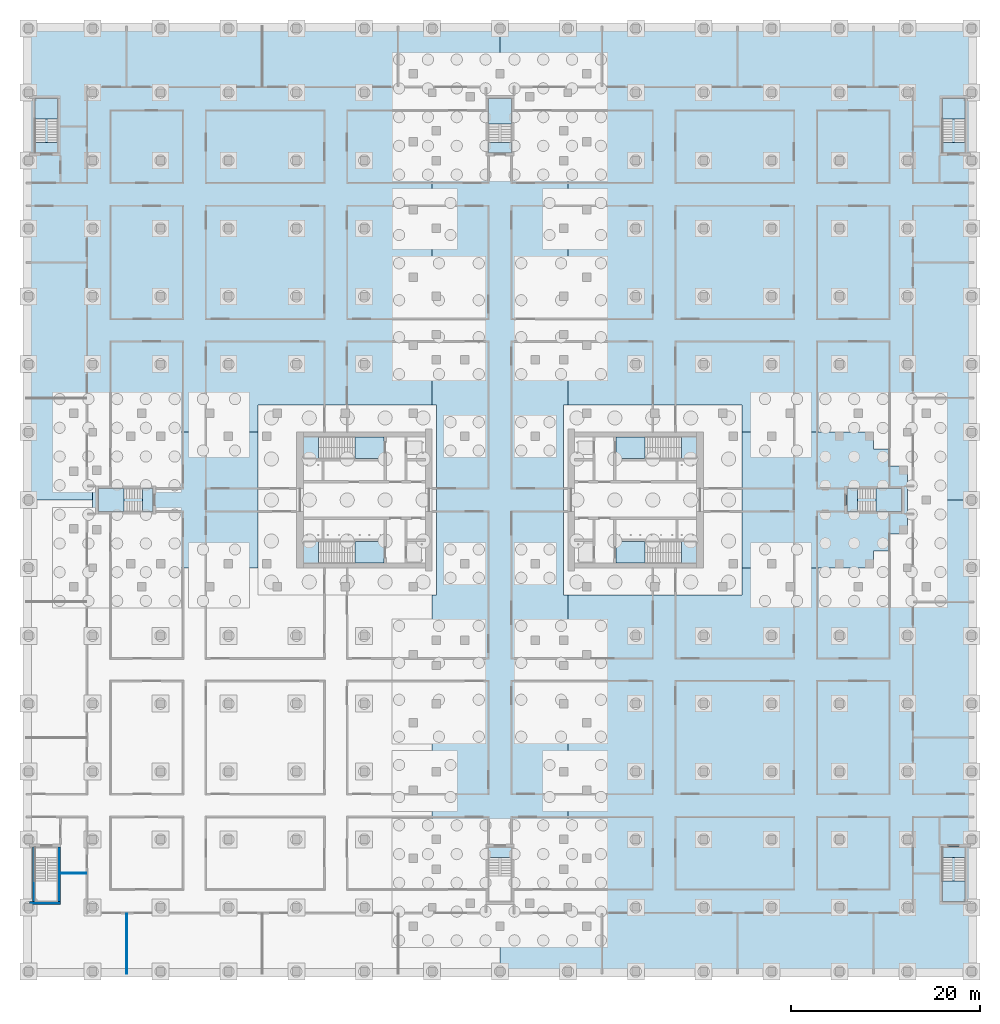
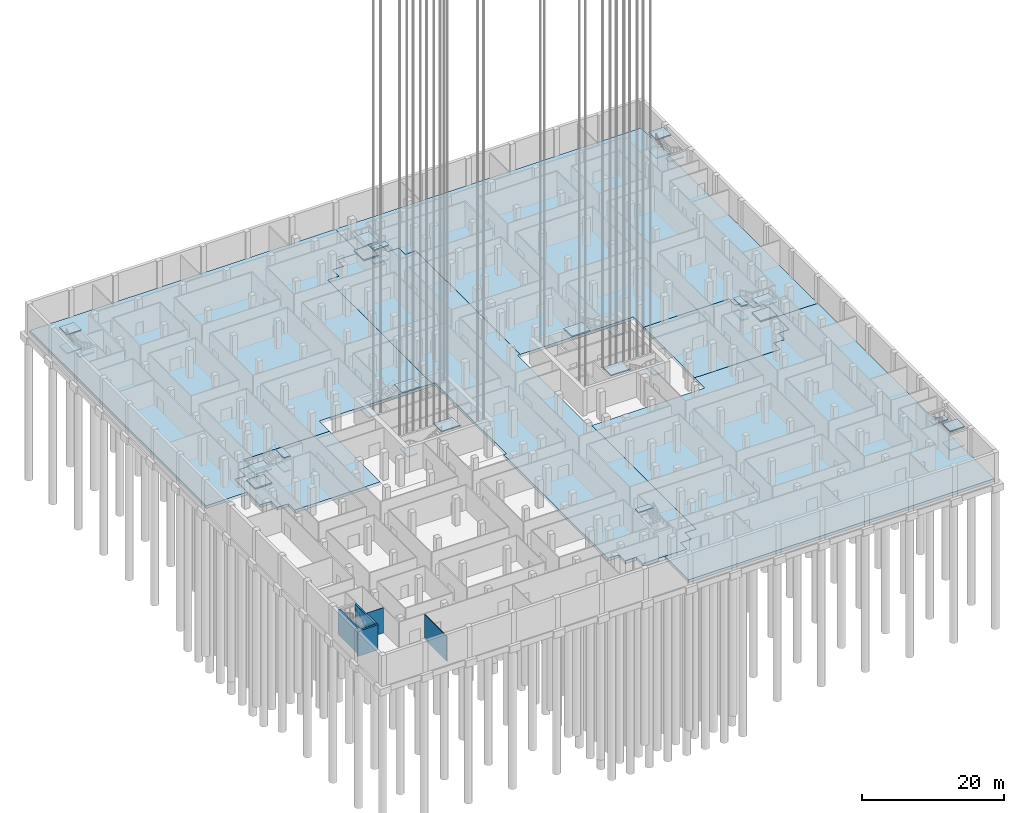
# One storey, part 5 of 54: 36 slabs, 5 walls, 11 elements without a shape of their own.
"""IFC4 building model written with IfcOpenShell, lengths in metres."""

from ifc_helpers import new_model, si_unit, direction, frame, frame_2d, origin, place, context, subcontext, project, spatial, polyline, rectangle, outline, extrude, material, layer, layer_set, type_object, element, aggregate, save


model = new_model("IFC4")

# Units and contexts
model_context = context("Model", 3, precision=1e-05, world=origin(), true_north=direction((0.0, 1.0)))
body_context = subcontext(model_context, "Body", "Model", "MODEL_VIEW")
ifc_project = project(units=[si_unit("LENGTHUNIT", "METRE"), si_unit("AREAUNIT", "SQUARE_METRE"), si_unit("VOLUMEUNIT", "CUBIC_METRE"), si_unit("PLANEANGLEUNIT", "RADIAN"), si_unit("MASSUNIT", "GRAM", prefix="KILO")], contexts=[model_context])

# Site, building, storey
site_placement = place(None, origin())
site = spatial("IfcSite", under=ifc_project, at=site_placement, CompositionType="ELEMENT")
building_placement = place(site_placement, origin())
building = spatial("IfcBuilding", under=site, at=building_placement, Name="Fustian Cross Tower", CompositionType="ELEMENT")
storey_placement = place(building_placement, frame((0.0, 0.0, -4.800048828125)))
storey = spatial("IfcBuildingStorey", under=building, at=storey_placement, Name="B1", CompositionType="ELEMENT", Elevation=-4.800048828125)

# Slabs
ifc_material_1 = material(Name="Concrete C40/50", Category="concrete")
ifc_layer_1 = layer(ifc_material_1, 0.5)
ifc_layer_set_1 = layer_set([ifc_layer_1], Name="Concrete C40/50")
slab_type_1 = type_object("IfcSlabType", Name="BASE SLAB 500", PredefinedType="BASESLAB", material=ifc_layer_set_1)
slab_1_placement = place(storey_placement, frame((0.0, 0.0, -0.5)))
element("IfcSlab", 1, at=slab_1_placement, inside=storey, type_object=slab_type_1, Name="FLOOR SLAB B1-1", PredefinedType="BASESLAB", context=body_context, shape_type="SweptSolid", body=[
    extrude(outline(polyline([(-25.64990234375, -7.199951171875), (-39.60009765625, -7.199951171875), (-39.60009765625, -5.39990234375), (-41.39990234375, -5.39990234375), (-41.39990234375, -3.60009765625), (-43.199951171875, -3.60009765625), (-43.199951171875, 3.60009765625), (-41.39990234375, 3.60009765625), (-41.39990234375, 5.39990234375), (-39.60009765625, 5.39990234375), (-39.60009765625, 7.199951171875), (-25.64990234375, 7.199951171875), (-25.64990234375, -7.199951171875)])), origin(), (0.0, 0.0, 1.0), 0.5),
])
slab_2_placement = place(storey_placement, frame((0.0, 0.0, -0.5)))
element("IfcSlab", 2, at=slab_2_placement, inside=storey, type_object=slab_type_1, Name="FLOOR SLAB B1-2", PredefinedType="BASESLAB", context=body_context, shape_type="SweptSolid", body=[
    extrude(outline(polyline([(6.75, -10.10009765625), (7.199951171875, -10.10009765625), (7.199951171875, -39.60009765625), (5.39990234375, -39.60009765625), (5.39990234375, -41.39990234375), (3.60009765625, -41.39990234375), (3.60009765625, -43.199951171875), (-3.60009765625, -43.199951171875), (-3.60009765625, -41.39990234375), (-5.39990234375, -41.39990234375), (-5.39990234375, -39.60009765625), (-7.199951171875, -39.60009765625), (-7.199951171875, -10.10009765625), (-6.75, -10.10009765625), (-6.75, 10.10009765625), (-7.199951171875, 10.10009765625), (-7.199951171875, 39.60009765625), (-5.39990234375, 39.60009765625), (-5.39990234375, 41.39990234375), (-3.60009765625, 41.39990234375), (-3.60009765625, 43.199951171875), (3.60009765625, 43.199951171875), (3.60009765625, 41.39990234375), (5.39990234375, 41.39990234375), (5.39990234375, 39.60009765625), (7.199951171875, 39.60009765625), (7.199951171875, 10.10009765625), (6.75, 10.10009765625), (6.75, -10.10009765625)])), origin(), (0.0, 0.0, 1.0), 0.5),
])
slab_3_placement = place(storey_placement, frame((0.0, 0.0, -0.5)))
element("IfcSlab", 3, at=slab_3_placement, inside=storey, type_object=slab_type_1, Name="FLOOR SLAB B1-3", PredefinedType="BASESLAB", context=body_context, shape_type="SweptSolid", body=[
    extrude(outline(polyline([(25.64990234375, 7.199951171875), (39.60009765625, 7.199951171875), (39.60009765625, 5.39990234375), (41.39990234375, 5.39990234375), (41.39990234375, 3.60009765625), (43.199951171875, 3.60009765625), (43.199951171875, -3.60009765625), (41.39990234375, -3.60009765625), (41.39990234375, -5.39990234375), (39.60009765625, -5.39990234375), (39.60009765625, -7.199951171875), (25.64990234375, -7.199951171875), (25.64990234375, 7.199951171875)])), origin(), (0.0, 0.0, 1.0), 0.5),
])
slab_4_placement = place(storey_placement, frame((0.0, 0.0, -0.5)))
element("IfcSlab", 4, at=slab_4_placement, inside=storey, type_object=slab_type_1, Name="FLOOR SLAB B1-4", PredefinedType="BASESLAB", context=body_context, shape_type="SweptSolid", body=[
    extrude(outline(polyline([(49.89990234375, 0.0), (43.199951171875, 0.0), (43.199951171875, 3.60009765625), (41.39990234375, 3.60009765625), (41.39990234375, 5.39990234375), (39.60009765625, 5.39990234375), (39.60009765625, 7.199951171875), (25.64990234375, 7.199951171875), (25.64990234375, 10.10009765625), (7.199951171875, 10.10009765625), (7.199951171875, 39.60009765625), (5.39990234375, 39.60009765625), (5.39990234375, 41.39990234375), (3.60009765625, 41.39990234375), (3.60009765625, 43.199951171875), (0.0, 43.199951171875), (0.0, 49.89990234375), (49.89990234375, 49.89990234375), (49.89990234375, 0.0)])), origin(), (0.0, 0.0, 1.0), 0.5),
])
slab_5_placement = place(storey_placement, frame((0.0, 0.0, -0.5)))
element("IfcSlab", 5, at=slab_5_placement, inside=storey, type_object=slab_type_1, Name="FLOOR SLAB B1-5", PredefinedType="BASESLAB", context=body_context, shape_type="SweptSolid", body=[
    extrude(outline(polyline([(-49.89990234375, 49.89990234375), (0.0, 49.89990234375), (0.0, 43.199951171875), (-3.60009765625, 43.199951171875), (-3.60009765625, 41.39990234375), (-5.39990234375, 41.39990234375), (-5.39990234375, 39.60009765625), (-7.199951171875, 39.60009765625), (-7.199951171875, 10.10009765625), (-25.64990234375, 10.10009765625), (-25.64990234375, 7.199951171875), (-39.60009765625, 7.199951171875), (-39.60009765625, 5.39990234375), (-41.39990234375, 5.39990234375), (-41.39990234375, 3.60009765625), (-43.199951171875, 3.60009765625), (-43.199951171875, 0.0), (-49.89990234375, 0.0), (-49.89990234375, 49.89990234375)])), origin(), (0.0, 0.0, 1.0), 0.5),
])
slab_6_placement = place(storey_placement, frame((0.0, 0.0, -0.5)))
element("IfcSlab", 6, at=slab_6_placement, inside=storey, type_object=slab_type_1, Name="FLOOR SLAB B1-7", PredefinedType="BASESLAB", context=body_context, shape_type="SweptSolid", body=[
    extrude(outline(polyline([(49.89990234375, -49.89990234375), (0.0, -49.89990234375), (0.0, -43.199951171875), (3.60009765625, -43.199951171875), (3.60009765625, -41.39990234375), (5.39990234375, -41.39990234375), (5.39990234375, -39.60009765625), (7.199951171875, -39.60009765625), (7.199951171875, -10.10009765625), (25.64990234375, -10.10009765625), (25.64990234375, -7.199951171875), (39.60009765625, -7.199951171875), (39.60009765625, -5.39990234375), (41.39990234375, -5.39990234375), (41.39990234375, -3.60009765625), (43.199951171875, -3.60009765625), (43.199951171875, 0.0), (49.89990234375, 0.0), (49.89990234375, -49.89990234375)])), origin(), (0.0, 0.0, 1.0), 0.5),
])

# Stair, slabs
ifc_material_2 = material(Name="Concrete C50/60", Category="concrete")
stair_type_1 = type_object("IfcStairType", Name="STAIR 1150 HALF TURN", PredefinedType="HALF_TURN_STAIR", material=ifc_material_2)
stair_1_placement = place(storey_placement, origin())
stair_1 = element("IfcStair", 7, at=stair_1_placement, inside=storey, type_object=stair_type_1, Name="Stair ST1", PredefinedType="HALF_TURN_STAIR")
ifc_material_3 = material(Name="Concrete C50/60", Category="concrete")
ifc_layer_2 = layer(ifc_material_3, 0.199951171875)
ifc_layer_set_2 = layer_set([ifc_layer_2], Name="Concrete C50/60")
slab_type_2 = type_object("IfcSlabType", Name="STAIR LANDING", PredefinedType="LANDING", material=ifc_layer_set_2)
slab_7_placement = place(storey_placement, frame((0.0, 0.0, 2.199951171875)))
slab_7 = element("IfcSlab", 8, at=slab_7_placement, type_object=slab_type_2, Name="ST1 landing 1", PredefinedType="LANDING", context=body_context, shape_type="SweptSolid", body=[
    extrude(outline(polyline([(19.27001953125, 4.39990234375), (20.85009765625, 4.39990234375), (20.85009765625, 6.699951171875), (19.27001953125, 6.699951171875), (19.27001953125, 4.39990234375)])), origin(), (0.0, 0.0, 1.0), 0.2001953125),
])
slab_8_placement = place(storey_placement, frame((0.0, 0.0, 4.60009765625)))
slab_8 = element("IfcSlab", 9, at=slab_8_placement, type_object=slab_type_2, Name="ST1 landing 2", PredefinedType="LANDING", context=body_context, shape_type="SweptSolid", body=[
    extrude(outline(polyline([(12.300048828125, 4.39990234375), (15.35009765625, 4.39990234375), (15.35009765625, 6.699951171875), (12.300048828125, 6.699951171875), (12.300048828125, 4.39990234375)])), origin(), (0.0, 0.0, 1.0), 0.199951171875),
])
aggregate(stair_1, [slab_7, slab_8])

stair_2_placement = place(storey_placement, origin())
stair_2 = element("IfcStair", 10, at=stair_2_placement, inside=storey, type_object=stair_type_1, Name="Stair ST2", PredefinedType="HALF_TURN_STAIR")
slab_9_placement = place(storey_placement, frame((0.0, 0.0, 2.199951171875)))
slab_9 = element("IfcSlab", 11, at=slab_9_placement, type_object=slab_type_2, Name="ST2 landing 1", PredefinedType="LANDING", context=body_context, shape_type="SweptSolid", body=[
    extrude(outline(polyline([(19.27001953125, -4.39990234375), (20.85009765625, -4.39990234375), (20.85009765625, -6.699951171875), (19.27001953125, -6.699951171875), (19.27001953125, -4.39990234375)])), origin(), (0.0, 0.0, 1.0), 0.2001953125),
])
slab_10_placement = place(storey_placement, frame((0.0, 0.0, 4.60009765625)))
slab_10 = element("IfcSlab", 12, at=slab_10_placement, type_object=slab_type_2, Name="ST2 landing 2", PredefinedType="LANDING", context=body_context, shape_type="SweptSolid", body=[
    extrude(outline(polyline([(12.300048828125, -4.39990234375), (15.35009765625, -4.39990234375), (15.35009765625, -6.699951171875), (12.300048828125, -6.699951171875), (12.300048828125, -4.39990234375)])), origin(), (0.0, 0.0, 1.0), 0.199951171875),
])
aggregate(stair_2, [slab_9, slab_10])

stair_3_placement = place(storey_placement, origin())
stair_3 = element("IfcStair", 13, at=stair_3_placement, inside=storey, type_object=stair_type_1, Name="Stair ST3", PredefinedType="HALF_TURN_STAIR")
slab_11_placement = place(storey_placement, frame((0.0, 0.0, 2.199951171875)))
slab_11 = element("IfcSlab", 14, at=slab_11_placement, type_object=slab_type_2, Name="ST3 landing 1", PredefinedType="LANDING", context=body_context, shape_type="SweptSolid", body=[
    extrude(outline(polyline([(-19.27001953125, 4.39990234375), (-20.85009765625, 4.39990234375), (-20.85009765625, 6.699951171875), (-19.27001953125, 6.699951171875), (-19.27001953125, 4.39990234375)])), origin(), (0.0, 0.0, 1.0), 0.2001953125),
])
slab_12_placement = place(storey_placement, frame((0.0, 0.0, 4.60009765625)))
slab_12 = element("IfcSlab", 15, at=slab_12_placement, type_object=slab_type_2, Name="ST3 landing 2", PredefinedType="LANDING", context=body_context, shape_type="SweptSolid", body=[
    extrude(outline(polyline([(-12.300048828125, 4.39990234375), (-15.35009765625, 4.39990234375), (-15.35009765625, 6.699951171875), (-12.300048828125, 6.699951171875), (-12.300048828125, 4.39990234375)])), origin(), (0.0, 0.0, 1.0), 0.199951171875),
])
aggregate(stair_3, [slab_11, slab_12])

stair_4_placement = place(storey_placement, origin())
stair_4 = element("IfcStair", 16, at=stair_4_placement, inside=storey, type_object=stair_type_1, Name="Stair ST4", PredefinedType="HALF_TURN_STAIR")
slab_13_placement = place(storey_placement, frame((0.0, 0.0, 2.199951171875)))
slab_13 = element("IfcSlab", 17, at=slab_13_placement, type_object=slab_type_2, Name="ST4 landing 1", PredefinedType="LANDING", context=body_context, shape_type="SweptSolid", body=[
    extrude(outline(polyline([(-19.27001953125, -4.39990234375), (-20.85009765625, -4.39990234375), (-20.85009765625, -6.699951171875), (-19.27001953125, -6.699951171875), (-19.27001953125, -4.39990234375)])), origin(), (0.0, 0.0, 1.0), 0.2001953125),
])
slab_14_placement = place(storey_placement, frame((0.0, 0.0, 4.60009765625)))
slab_14 = element("IfcSlab", 18, at=slab_14_placement, type_object=slab_type_2, Name="ST4 landing 2", PredefinedType="LANDING", context=body_context, shape_type="SweptSolid", body=[
    extrude(outline(polyline([(-12.300048828125, -4.39990234375), (-15.35009765625, -4.39990234375), (-15.35009765625, -6.699951171875), (-12.300048828125, -6.699951171875), (-12.300048828125, -4.39990234375)])), origin(), (0.0, 0.0, 1.0), 0.199951171875),
])
aggregate(stair_4, [slab_13, slab_14])

ifc_material_4 = material(Name="Concrete C50/60", Category="concrete")
stair_type_2 = type_object("IfcStairType", Name="STAIR 1100 HALF TURN", PredefinedType="HALF_TURN_STAIR", material=ifc_material_4)
stair_5_placement = place(storey_placement, origin())
stair_5 = element("IfcStair", 19, at=stair_5_placement, inside=storey, type_object=stair_type_2, Name="Stair ST5", PredefinedType="HALF_TURN_STAIR")
slab_15_placement = place(storey_placement, frame((0.0, 0.0, 1.0)))
slab_15 = element("IfcSlab", 20, at=slab_15_placement, type_object=slab_type_2, Name="ST5 landing 1", PredefinedType="LANDING", context=body_context, shape_type="SweptSolid", body=[
    extrude(outline(polyline([(-1.199951171875, 39.860107421875), (-1.199951171875, 42.60009765625), (1.199951171875, 42.60009765625), (1.199951171875, 39.860107421875), (-1.199951171875, 39.860107421875)])), origin(), (0.0, 0.0, 1.0), 0.199951171875),
])
slab_16_placement = place(storey_placement, frame((0.0, 0.0, 2.199951171875)))
slab_16 = element("IfcSlab", 21, at=slab_16_placement, type_object=slab_type_2, Name="ST5 landing 2", PredefinedType="LANDING", context=body_context, shape_type="SweptSolid", body=[
    extrude(outline(polyline([(-1.199951171875, 36.800048828125), (-1.199951171875, 37.89990234375), (1.199951171875, 37.89990234375), (1.199951171875, 36.800048828125), (-1.199951171875, 36.800048828125)])), origin(), (0.0, 0.0, 1.0), 0.2001953125),
])
slab_17_placement = place(storey_placement, frame((0.0, 0.0, 3.400146484375)))
slab_17 = element("IfcSlab", 22, at=slab_17_placement, type_object=slab_type_2, Name="ST5 landing 3", PredefinedType="LANDING", context=body_context, shape_type="SweptSolid", body=[
    extrude(outline(polyline([(-1.199951171875, 39.860107421875), (-1.199951171875, 42.60009765625), (1.199951171875, 42.60009765625), (1.199951171875, 39.860107421875), (-1.199951171875, 39.860107421875)])), origin(), (0.0, 0.0, 1.0), 0.199951171875),
])
slab_18_placement = place(storey_placement, frame((0.0, 0.0, 4.60009765625)))
slab_18 = element("IfcSlab", 23, at=slab_18_placement, type_object=slab_type_2, Name="ST5 landing 4", PredefinedType="LANDING", context=body_context, shape_type="SweptSolid", body=[
    extrude(outline(polyline([(-1.199951171875, 36.800048828125), (-1.199951171875, 37.89990234375), (1.199951171875, 37.89990234375), (1.199951171875, 36.800048828125), (-1.199951171875, 36.800048828125)])), origin(), (0.0, 0.0, 1.0), 0.199951171875),
])
aggregate(stair_5, [slab_15, slab_16, slab_17, slab_18])

# Stair, slab
stair_6_placement = place(storey_placement, origin())
stair_6 = element("IfcStair", 24, at=stair_6_placement, inside=storey, type_object=stair_type_2, Name="Stair ST6", PredefinedType="HALF_TURN_STAIR")
slab_19_placement = place(storey_placement, frame((0.0, 0.0, 4.60009765625)))
slab_19 = element("IfcSlab", 25, at=slab_19_placement, type_object=slab_type_2, Name="ST6 landing 4", PredefinedType="LANDING", context=body_context, shape_type="SweptSolid", body=[
    extrude(outline(polyline([(-1.199951171875, -36.800048828125), (-1.199951171875, -37.89990234375), (1.199951171875, -37.89990234375), (1.199951171875, -36.800048828125), (-1.199951171875, -36.800048828125)])), origin(), (0.0, 0.0, 1.0), 0.199951171875),
])
aggregate(stair_6, [slab_19])

# Stair, slabs
stair_7_placement = place(storey_placement, origin())
stair_7 = element("IfcStair", 26, at=stair_7_placement, inside=storey, type_object=stair_type_2, Name="Stair ST8", PredefinedType="HALF_TURN_STAIR")
slab_20_placement = place(storey_placement, frame((0.0, 0.0, 1.0)))
slab_20 = element("IfcSlab", 27, at=slab_20_placement, type_object=slab_type_2, Name="ST8 landing 1", PredefinedType="LANDING", context=body_context, shape_type="SweptSolid", body=[
    extrude(outline(polyline([(39.860107421875, -1.199951171875), (42.60009765625, -1.199951171875), (42.60009765625, 1.199951171875), (39.860107421875, 1.199951171875), (39.860107421875, -1.199951171875)])), origin(), (0.0, 0.0, 1.0), 0.199951171875),
])
slab_21_placement = place(storey_placement, frame((0.0, 0.0, 2.199951171875)))
slab_21 = element("IfcSlab", 28, at=slab_21_placement, type_object=slab_type_2, Name="ST8 landing 2", PredefinedType="LANDING", context=body_context, shape_type="SweptSolid", body=[
    extrude(outline(polyline([(36.800048828125, -1.199951171875), (37.89990234375, -1.199951171875), (37.89990234375, 1.199951171875), (36.800048828125, 1.199951171875), (36.800048828125, -1.199951171875)])), origin(), (0.0, 0.0, 1.0), 0.2001953125),
])
slab_22_placement = place(storey_placement, frame((0.0, 0.0, 3.400146484375)))
slab_22 = element("IfcSlab", 29, at=slab_22_placement, type_object=slab_type_2, Name="ST8 landing 3", PredefinedType="LANDING", context=body_context, shape_type="SweptSolid", body=[
    extrude(outline(polyline([(39.860107421875, -1.199951171875), (42.60009765625, -1.199951171875), (42.60009765625, 1.199951171875), (39.860107421875, 1.199951171875), (39.860107421875, -1.199951171875)])), origin(), (0.0, 0.0, 1.0), 0.199951171875),
])
slab_23_placement = place(storey_placement, frame((0.0, 0.0, 4.60009765625)))
slab_23 = element("IfcSlab", 30, at=slab_23_placement, type_object=slab_type_2, Name="ST8 landing 4", PredefinedType="LANDING", context=body_context, shape_type="SweptSolid", body=[
    extrude(outline(polyline([(36.800048828125, -1.199951171875), (37.89990234375, -1.199951171875), (37.89990234375, 1.199951171875), (36.800048828125, 1.199951171875), (36.800048828125, -1.199951171875)])), origin(), (0.0, 0.0, 1.0), 0.199951171875),
])
aggregate(stair_7, [slab_20, slab_21, slab_22, slab_23])

stair_8_placement = place(storey_placement, origin())
stair_8 = element("IfcStair", 31, at=stair_8_placement, inside=storey, type_object=stair_type_2, Name="Stair ST9", PredefinedType="HALF_TURN_STAIR")
slab_24_placement = place(storey_placement, frame((0.0, 0.0, 1.0)))
slab_24 = element("IfcSlab", 32, at=slab_24_placement, type_object=slab_type_2, Name="ST9 landing 1", PredefinedType="LANDING", context=body_context, shape_type="SweptSolid", body=[
    extrude(outline(polyline([(-39.860107421875, -1.199951171875), (-42.60009765625, -1.199951171875), (-42.60009765625, 1.199951171875), (-39.860107421875, 1.199951171875), (-39.860107421875, -1.199951171875)])), origin(), (0.0, 0.0, 1.0), 0.199951171875),
])
slab_25_placement = place(storey_placement, frame((0.0, 0.0, 2.199951171875)))
slab_25 = element("IfcSlab", 33, at=slab_25_placement, type_object=slab_type_2, Name="ST9 landing 2", PredefinedType="LANDING", context=body_context, shape_type="SweptSolid", body=[
    extrude(outline(polyline([(-36.800048828125, -1.199951171875), (-37.89990234375, -1.199951171875), (-37.89990234375, 1.199951171875), (-36.800048828125, 1.199951171875), (-36.800048828125, -1.199951171875)])), origin(), (0.0, 0.0, 1.0), 0.2001953125),
])
slab_26_placement = place(storey_placement, frame((0.0, 0.0, 3.400146484375)))
slab_26 = element("IfcSlab", 34, at=slab_26_placement, type_object=slab_type_2, Name="ST9 landing 3", PredefinedType="LANDING", context=body_context, shape_type="SweptSolid", body=[
    extrude(outline(polyline([(-39.860107421875, -1.199951171875), (-42.60009765625, -1.199951171875), (-42.60009765625, 1.199951171875), (-39.860107421875, 1.199951171875), (-39.860107421875, -1.199951171875)])), origin(), (0.0, 0.0, 1.0), 0.199951171875),
])
slab_27_placement = place(storey_placement, frame((0.0, 0.0, 4.60009765625)))
slab_27 = element("IfcSlab", 35, at=slab_27_placement, type_object=slab_type_2, Name="ST9 landing 4", PredefinedType="LANDING", context=body_context, shape_type="SweptSolid", body=[
    extrude(outline(polyline([(-36.800048828125, -1.199951171875), (-37.89990234375, -1.199951171875), (-37.89990234375, 1.199951171875), (-36.800048828125, 1.199951171875), (-36.800048828125, -1.199951171875)])), origin(), (0.0, 0.0, 1.0), 0.199951171875),
])
aggregate(stair_8, [slab_24, slab_25, slab_26, slab_27])

stair_9_placement = place(storey_placement, origin())
stair_9 = element("IfcStair", 36, at=stair_9_placement, inside=storey, type_object=stair_type_2, Name="Stair ST10", PredefinedType="HALF_TURN_STAIR")
slab_28_placement = place(storey_placement, frame((0.0, 0.0, 1.400146484375)))
slab_28 = element("IfcSlab", 37, at=slab_28_placement, type_object=slab_type_2, Name="ST10 landing 1", PredefinedType="LANDING", context=body_context, shape_type="SweptSolid", body=[
    extrude(outline(polyline([(46.89990234375, 40.419921875), (46.89990234375, 42.60009765625), (49.300048828125, 42.60009765625), (49.300048828125, 40.419921875), (46.89990234375, 40.419921875)])), origin(), (0.0, 0.0, 1.0), 0.199951171875),
])
slab_29_placement = place(storey_placement, frame((0.0, 0.0, 3.0)))
slab_29 = element("IfcSlab", 38, at=slab_29_placement, type_object=slab_type_2, Name="ST10 landing 2", PredefinedType="LANDING", context=body_context, shape_type="SweptSolid", body=[
    extrude(outline(polyline([(46.89990234375, 36.800048828125), (46.89990234375, 37.89990234375), (49.300048828125, 37.89990234375), (49.300048828125, 36.800048828125), (46.89990234375, 36.800048828125)])), origin(), (0.0, 0.0, 1.0), 0.199951171875),
])
slab_30_placement = place(storey_placement, frame((0.0, 0.0, 4.60009765625)))
slab_30 = element("IfcSlab", 39, at=slab_30_placement, type_object=slab_type_2, Name="ST10 landing 3", PredefinedType="LANDING", context=body_context, shape_type="SweptSolid", body=[
    extrude(outline(polyline([(46.89990234375, 40.419921875), (46.89990234375, 42.60009765625), (49.300048828125, 42.60009765625), (49.300048828125, 40.419921875), (46.89990234375, 40.419921875)])), origin(), (0.0, 0.0, 1.0), 0.199951171875),
])
aggregate(stair_9, [slab_28, slab_29, slab_30])

stair_10_placement = place(storey_placement, origin())
stair_10 = element("IfcStair", 40, at=stair_10_placement, inside=storey, type_object=stair_type_2, Name="Stair ST11", PredefinedType="HALF_TURN_STAIR")
slab_31_placement = place(storey_placement, frame((0.0, 0.0, 1.400146484375)))
slab_31 = element("IfcSlab", 41, at=slab_31_placement, type_object=slab_type_2, Name="ST11 landing 1", PredefinedType="LANDING", context=body_context, shape_type="SweptSolid", body=[
    extrude(outline(polyline([(-49.300048828125, 40.419921875), (-49.300048828125, 42.60009765625), (-46.89990234375, 42.60009765625), (-46.89990234375, 40.419921875), (-49.300048828125, 40.419921875)])), origin(), (0.0, 0.0, 1.0), 0.199951171875),
])
slab_32_placement = place(storey_placement, frame((0.0, 0.0, 3.0)))
slab_32 = element("IfcSlab", 42, at=slab_32_placement, type_object=slab_type_2, Name="ST11 landing 2", PredefinedType="LANDING", context=body_context, shape_type="SweptSolid", body=[
    extrude(outline(polyline([(-49.300048828125, 36.800048828125), (-49.300048828125, 37.89990234375), (-46.89990234375, 37.89990234375), (-46.89990234375, 36.800048828125), (-49.300048828125, 36.800048828125)])), origin(), (0.0, 0.0, 1.0), 0.199951171875),
])
slab_33_placement = place(storey_placement, frame((0.0, 0.0, 4.60009765625)))
slab_33 = element("IfcSlab", 43, at=slab_33_placement, type_object=slab_type_2, Name="ST11 landing 3", PredefinedType="LANDING", context=body_context, shape_type="SweptSolid", body=[
    extrude(outline(polyline([(-49.300048828125, 40.419921875), (-49.300048828125, 42.60009765625), (-46.89990234375, 42.60009765625), (-46.89990234375, 40.419921875), (-49.300048828125, 40.419921875)])), origin(), (0.0, 0.0, 1.0), 0.199951171875),
])
aggregate(stair_10, [slab_31, slab_32, slab_33])

stair_11_placement = place(storey_placement, origin())
stair_11 = element("IfcStair", 44, at=stair_11_placement, inside=storey, type_object=stair_type_2, Name="Stair ST12", PredefinedType="HALF_TURN_STAIR")
slab_34_placement = place(storey_placement, frame((0.0, 0.0, 1.400146484375)))
slab_34 = element("IfcSlab", 45, at=slab_34_placement, type_object=slab_type_2, Name="ST12 landing 1", PredefinedType="LANDING", context=body_context, shape_type="SweptSolid", body=[
    extrude(outline(polyline([(46.89990234375, -40.419921875), (46.89990234375, -42.60009765625), (49.300048828125, -42.60009765625), (49.300048828125, -40.419921875), (46.89990234375, -40.419921875)])), origin(), (0.0, 0.0, 1.0), 0.199951171875),
])
slab_35_placement = place(storey_placement, frame((0.0, 0.0, 3.0)))
slab_35 = element("IfcSlab", 46, at=slab_35_placement, type_object=slab_type_2, Name="ST12 landing 2", PredefinedType="LANDING", context=body_context, shape_type="SweptSolid", body=[
    extrude(outline(polyline([(46.89990234375, -36.800048828125), (46.89990234375, -37.89990234375), (49.300048828125, -37.89990234375), (49.300048828125, -36.800048828125), (46.89990234375, -36.800048828125)])), origin(), (0.0, 0.0, 1.0), 0.199951171875),
])
slab_36_placement = place(storey_placement, frame((0.0, 0.0, 4.60009765625)))
slab_36 = element("IfcSlab", 47, at=slab_36_placement, type_object=slab_type_2, Name="ST12 landing 3", PredefinedType="LANDING", context=body_context, shape_type="SweptSolid", body=[
    extrude(outline(polyline([(46.89990234375, -40.419921875), (46.89990234375, -42.60009765625), (49.300048828125, -42.60009765625), (49.300048828125, -40.419921875), (46.89990234375, -40.419921875)])), origin(), (0.0, 0.0, 1.0), 0.199951171875),
])
aggregate(stair_11, [slab_34, slab_35, slab_36])

# Walls
ifc_material_5 = material(Name="Plasterboard on steel stud", Category="steel")
ifc_layer_3 = layer(ifc_material_5, 0.10009765625)
ifc_layer_set_3 = layer_set([ifc_layer_3], Name="Plasterboard on steel stud")
wall_type_1 = type_object("IfcWallType", Name="PARTITION 100 STUD", PredefinedType="PARTITIONING", material=ifc_layer_set_3)
wall_1_placement = place(storey_placement, frame((-46.60009765625, -39.60009765625, 0.0), z_axis=(0.0, 0.0, 1.0), x_axis=(1.0, 0.0, 0.0)))
element("IfcWall", 48, at=wall_1_placement, inside=storey, type_object=wall_type_1, Name="Partition 9", PredefinedType="PARTITIONING", context=body_context, shape_type="SweptSolid", body=[
    extrude(rectangle(XDim=2.72509765625, YDim=0.10009765625, at=frame_2d((1.362548828125, 0.0))), origin(), (0.0, 0.0, 1.0), 4.35009765625),
])
wall_2_placement = place(storey_placement, frame((-39.60009765625, -50.219970703125, 0.0), z_axis=(0.0, 0.0, 1.0), x_axis=(0.0, 1.0, 0.0)))
element("IfcWall", 49, at=wall_2_placement, inside=storey, type_object=wall_type_1, Name="Partition 37", PredefinedType="PARTITIONING", context=body_context, shape_type="SweptSolid", body=[
    extrude(rectangle(XDim=6.344970703125, YDim=0.10009765625, at=frame_2d((3.17236328125, 0.0))), origin(), (0.0, 0.0, 1.0), 4.35009765625),
])
ifc_material_6 = material(Name="Concrete C50/60", Category="concrete")
ifc_layer_4 = layer(ifc_material_6, 0.300048828125)
ifc_layer_set_4 = layer_set([ifc_layer_4], Name="Concrete C50/60")
wall_type_2 = type_object("IfcWallType", Name="STAIR ENCLOSURE WALL 300 C50/60", PredefinedType="SHEAR", material=ifc_layer_set_4)
wall_3_placement = place(storey_placement, frame((-49.89990234375, -42.75, 0.0), z_axis=(0.0, 0.0, 1.0), x_axis=(1.0, 0.0, 0.0)))
element("IfcWall", 50, at=wall_3_placement, inside=storey, type_object=wall_type_2, Name="Stair enclosure wall", PredefinedType="SHEAR", context=body_context, shape_type="SweptSolid", body=[
    extrude(rectangle(XDim=3.2998046875, YDim=0.300048828125, at=frame_2d((1.64990234375, 0.0))), origin(), (0.0, 0.0, 1.0), 4.35009765625),
])
for number, where, z_axis, x_axis, name in (
    (51, (-49.449951171875, -36.800048828125, 0.0), (0.0, 0.0, 1.0), (0.0, -1.0, 0.0), "Stair enclosure wall"),
    (52, (-46.75, -36.800048828125, 0.0), (0.0, 0.0, 1.0), (0.0, -1.0, 0.0), "Stair enclosure wall"),
):
    element("IfcWall", number, at=place(storey_placement, frame(where, z_axis=z_axis, x_axis=x_axis)), inside=storey, type_object=wall_type_2, Name=name, PredefinedType="SHEAR", context=body_context, shape_type="SweptSolid", body=[
        extrude(rectangle(XDim=5.800048828125, YDim=0.300048828125, at=frame_2d((2.89990234375, 0.0))), origin(), (0.0, 0.0, 1.0), 4.35009765625),
    ])

save(model, "model.ifc")
